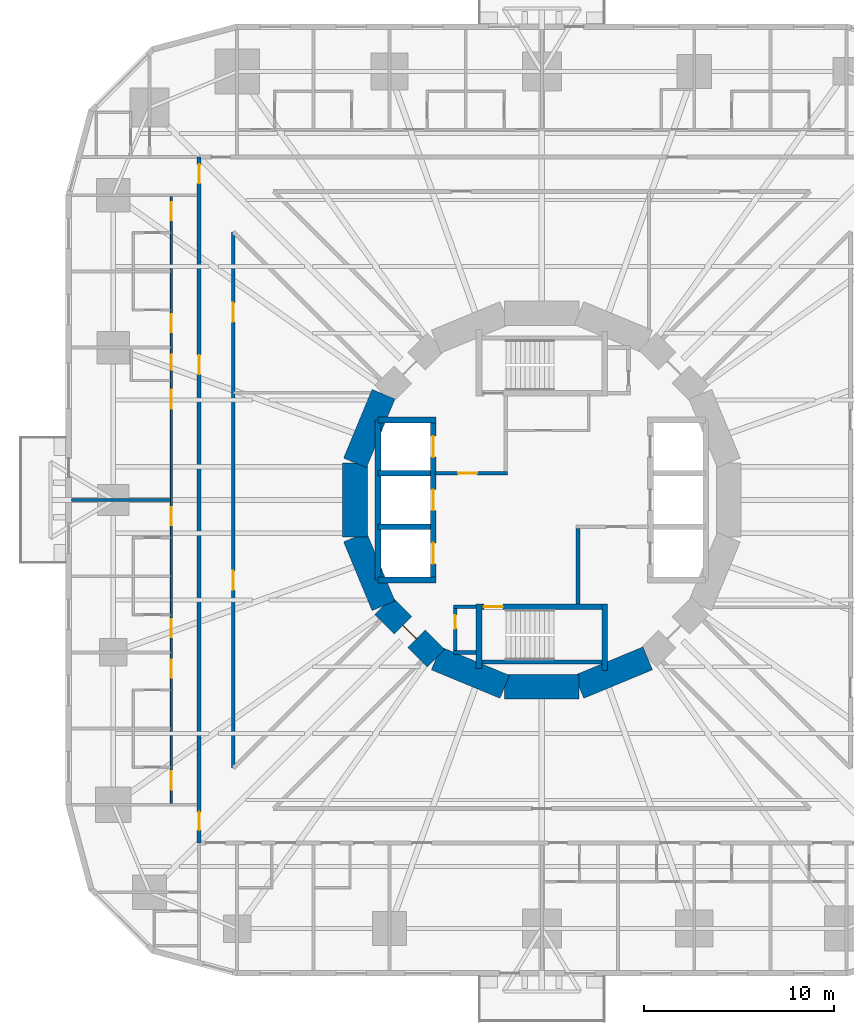
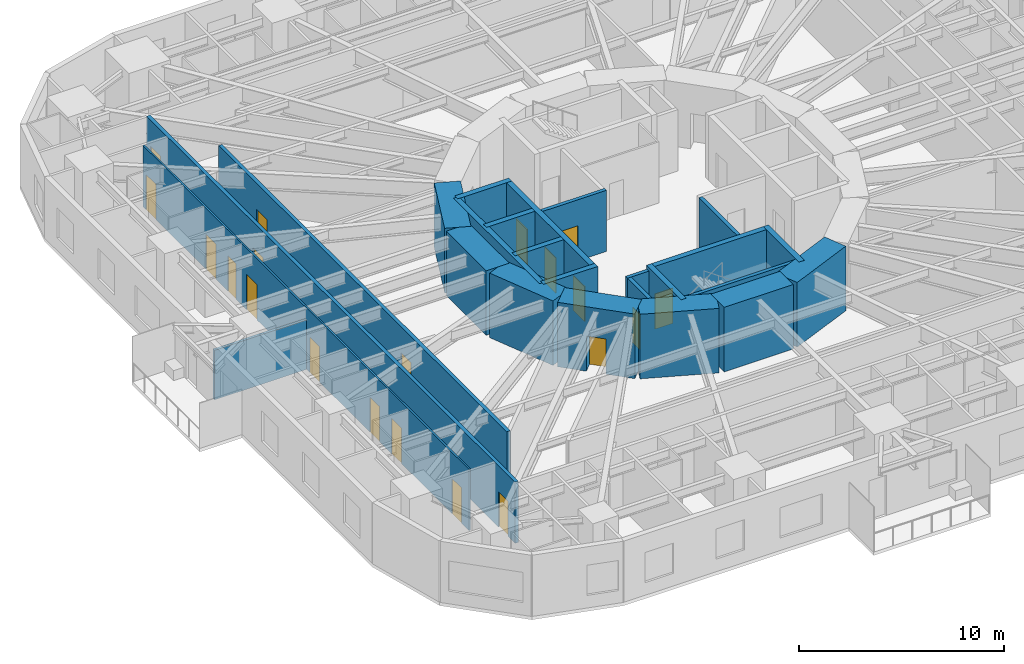
# One storey, part 6 of 14: 26 walls, 20 doors, 20 openings.
"""IFC4 building model written with IfcOpenShell, lengths in metres."""

from ifc_helpers import new_model, si_unit, direction, frame, frame_2d, origin, place, context, subcontext, project, spatial, rectangle, extrude, material, layer, layer_set, type_object, element, fill, save


model = new_model("IFC4")

# Units and contexts
model_context = context("Model", 3, precision=1e-05, world=origin(), true_north=direction((0.0, 1.0)))
body_context = subcontext(model_context, "Body", "Model", "MODEL_VIEW")
ifc_project = project(units=[si_unit("LENGTHUNIT", "METRE"), si_unit("AREAUNIT", "SQUARE_METRE"), si_unit("VOLUMEUNIT", "CUBIC_METRE"), si_unit("PLANEANGLEUNIT", "RADIAN"), si_unit("MASSUNIT", "GRAM", prefix="KILO")], contexts=[model_context])

# Site, building, storey
site_placement = place(None, origin())
site = spatial("IfcSite", under=ifc_project, at=site_placement, CompositionType="ELEMENT")
building_placement = place(site_placement, origin())
building = spatial("IfcBuilding", under=site, at=building_placement, Name="Nakasero Lantern House", CompositionType="ELEMENT")
storey_placement = place(building_placement, frame((0.0, 0.0, 35.25)))
storey = spatial("IfcBuildingStorey", under=building, at=storey_placement, Name="L08", CompositionType="ELEMENT", Elevation=35.25)

# Wall, openings, doors
ifc_material_1 = material(Name="Blockwork", Category="masonry")
ifc_layer_1 = layer(ifc_material_1, 0.10009765625)
ifc_layer_set_1 = layer_set([ifc_layer_1], Name="Cluster hall wall 100")
wall_type_1 = type_object("IfcWallType", Name="Cluster hall wall 100", PredefinedType="PARTITIONING", material=ifc_layer_set_1)
wall_1_placement = place(storey_placement, frame((-19.449951171875, 15.925048828125, 0.0), z_axis=(0.0, 0.0, 1.0), x_axis=(0.0, -1.0, 0.0)))
wall_1 = element("IfcWall", 1, at=wall_1_placement, inside=storey, type_object=wall_type_1, Name="Cluster hall wall L08 HW2-0", PredefinedType="PARTITIONING", context=body_context, shape_type="SweptSolid", body=[
    extrude(rectangle(XDim=31.85009765625, YDim=0.10009765625, at=frame_2d((15.925048828125, 0.0))), origin(), (0.0, 0.0, 1.0), 3.64990234375),
])
opening_1_placement = place(wall_1_placement, frame((10.125, 0.0, 0.0)))
opening_1 = element("IfcOpeningElement", 2, at=opening_1_placement, cuts=wall_1, Name="Opening D03", PredefinedType="OPENING", context=body_context, shape_type="SweptSolid", body=[
    extrude(rectangle(XDim=1.0, YDim=2.10009765625, at=frame_2d((0.5, 1.050048828125))), frame((0.0, 0.070068359375, 0.0), z_axis=(0.0, -1.0, 0.0), x_axis=(1.0, 0.0, 0.0)), (0.0, 0.0, 1.0), 0.14013671875),
])
opening_2_placement = place(wall_1_placement, frame((8.300048828125, 0.0, 0.0)))
opening_2 = element("IfcOpeningElement", 3, at=opening_2_placement, cuts=wall_1, Name="Opening D02", PredefinedType="OPENING", context=body_context, shape_type="SweptSolid", body=[
    extrude(rectangle(XDim=0.800048828125, YDim=2.10009765625, at=frame_2d((0.39990234375, 1.050048828125))), frame((0.0, 0.070068359375, 0.0), z_axis=(0.0, -1.0, 0.0), x_axis=(1.0, 0.0, 0.0)), (0.0, 0.0, 1.0), 0.14013671875),
])
opening_3_placement = place(wall_1_placement, frame((0.300048828125, 0.0, 0.0)))
opening_3 = element("IfcOpeningElement", 4, at=opening_3_placement, cuts=wall_1, Name="Opening D01", PredefinedType="OPENING", context=body_context, shape_type="SweptSolid", body=[
    extrude(rectangle(XDim=0.949951171875, YDim=2.10009765625, at=frame_2d((0.47509765625, 1.050048828125))), frame((0.0, 0.070068359375, 0.0), z_axis=(0.0, -1.0, 0.0), x_axis=(1.0, 0.0, 0.0)), (0.0, 0.0, 1.0), 0.14013671875),
])
opening_4_placement = place(wall_1_placement, frame((6.175048828125, 0.0, 0.0)))
opening_4 = element("IfcOpeningElement", 5, at=opening_4_placement, cuts=wall_1, Name="Opening D01", PredefinedType="OPENING", context=body_context, shape_type="SweptSolid", body=[
    extrude(rectangle(XDim=0.949951171875, YDim=2.10009765625, at=frame_2d((0.47509765625, 1.050048828125))), frame((0.0, 0.070068359375, 0.0), z_axis=(0.0, -1.0, 0.0), x_axis=(1.0, 0.0, 0.0)), (0.0, 0.0, 1.0), 0.14013671875),
])
opening_5_placement = place(wall_1_placement, frame((16.300048828125, 0.0, 0.0)))
opening_5 = element("IfcOpeningElement", 6, at=opening_5_placement, cuts=wall_1, Name="Opening D01", PredefinedType="OPENING", context=body_context, shape_type="SweptSolid", body=[
    extrude(rectangle(XDim=0.949951171875, YDim=2.10009765625, at=frame_2d((0.47509765625, 1.050048828125))), frame((0.0, 0.070068359375, 0.0), z_axis=(0.0, -1.0, 0.0), x_axis=(1.0, 0.0, 0.0)), (0.0, 0.0, 1.0), 0.14013671875),
])
opening_6_placement = place(wall_1_placement, frame((22.175048828125, 0.0, 0.0)))
opening_6 = element("IfcOpeningElement", 7, at=opening_6_placement, cuts=wall_1, Name="Opening D01", PredefinedType="OPENING", context=body_context, shape_type="SweptSolid", body=[
    extrude(rectangle(XDim=0.949951171875, YDim=2.10009765625, at=frame_2d((0.47509765625, 1.050048828125))), frame((0.0, 0.070068359375, 0.0), z_axis=(0.0, -1.0, 0.0), x_axis=(1.0, 0.0, 0.0)), (0.0, 0.0, 1.0), 0.14013671875),
])
opening_7_placement = place(wall_1_placement, frame((24.300048828125, 0.0, 0.0)))
opening_7 = element("IfcOpeningElement", 8, at=opening_7_placement, cuts=wall_1, Name="Opening D01", PredefinedType="OPENING", context=body_context, shape_type="SweptSolid", body=[
    extrude(rectangle(XDim=0.949951171875, YDim=2.10009765625, at=frame_2d((0.47509765625, 1.050048828125))), frame((0.0, 0.070068359375, 0.0), z_axis=(0.0, -1.0, 0.0), x_axis=(1.0, 0.0, 0.0)), (0.0, 0.0, 1.0), 0.14013671875),
])
opening_8_placement = place(wall_1_placement, frame((30.175048828125, 0.0, 0.0)))
opening_8 = element("IfcOpeningElement", 9, at=opening_8_placement, cuts=wall_1, Name="Opening D01", PredefinedType="OPENING", context=body_context, shape_type="SweptSolid", body=[
    extrude(rectangle(XDim=0.949951171875, YDim=2.10009765625, at=frame_2d((0.47509765625, 1.050048828125))), frame((0.0, 0.070068359375, 0.0), z_axis=(0.0, -1.0, 0.0), x_axis=(1.0, 0.0, 0.0)), (0.0, 0.0, 1.0), 0.14013671875),
])
ifc_material_2 = material(Name="Timber C24", Category="wood")
door_type_1 = type_object("IfcDoorType", Name="Bedroom door FD30S 950", OperationType="SINGLE_SWING_LEFT", PredefinedType="DOOR", material=ifc_material_2)
door_1_placement = place(opening_3_placement, origin())
door_1 = element("IfcDoor", 10, at=door_1_placement, inside=storey, type_object=door_type_1, Name="Door L08 D2-01", OperationType="SINGLE_SWING_LEFT", OverallHeight=2.10009765625, OverallWidth=0.949951171875, PredefinedType="DOOR", context=body_context, shape_type="SweptSolid", body=[
    extrude(rectangle(XDim=0.949951171875, YDim=2.10009765625, at=frame_2d((0.47509765625, 1.050048828125))), frame((0.0, 0.02490234375, 0.0), z_axis=(0.0, -1.0, 0.0), x_axis=(1.0, 0.0, 0.0)), (0.0, 0.0, 1.0), 0.050048828125),
])
fill(opening_3, door_1)
door_2_placement = place(opening_4_placement, origin())
door_2 = element("IfcDoor", 11, at=door_2_placement, inside=storey, type_object=door_type_1, Name="Door L08 D2-02", OperationType="SINGLE_SWING_LEFT", OverallHeight=2.10009765625, OverallWidth=0.949951171875, PredefinedType="DOOR", context=body_context, shape_type="SweptSolid", body=[
    extrude(rectangle(XDim=0.949951171875, YDim=2.10009765625, at=frame_2d((0.47509765625, 1.050048828125))), frame((0.0, 0.02490234375, 0.0), z_axis=(0.0, -1.0, 0.0), x_axis=(1.0, 0.0, 0.0)), (0.0, 0.0, 1.0), 0.050048828125),
])
fill(opening_4, door_2)
door_3_placement = place(opening_5_placement, origin())
door_3 = element("IfcDoor", 12, at=door_3_placement, inside=storey, type_object=door_type_1, Name="Door L08 D2-05", OperationType="SINGLE_SWING_RIGHT", OverallHeight=2.10009765625, OverallWidth=0.949951171875, PredefinedType="DOOR", context=body_context, shape_type="SweptSolid", body=[
    extrude(rectangle(XDim=0.949951171875, YDim=2.10009765625, at=frame_2d((0.47509765625, 1.050048828125))), frame((0.0, 0.02490234375, 0.0), z_axis=(0.0, -1.0, 0.0), x_axis=(1.0, 0.0, 0.0)), (0.0, 0.0, 1.0), 0.050048828125),
])
fill(opening_5, door_3)
door_4_placement = place(opening_6_placement, origin())
door_4 = element("IfcDoor", 13, at=door_4_placement, inside=storey, type_object=door_type_1, Name="Door L08 D2-06", OperationType="SINGLE_SWING_RIGHT", OverallHeight=2.10009765625, OverallWidth=0.949951171875, PredefinedType="DOOR", context=body_context, shape_type="SweptSolid", body=[
    extrude(rectangle(XDim=0.949951171875, YDim=2.10009765625, at=frame_2d((0.47509765625, 1.050048828125))), frame((0.0, 0.02490234375, 0.0), z_axis=(0.0, -1.0, 0.0), x_axis=(1.0, 0.0, 0.0)), (0.0, 0.0, 1.0), 0.050048828125),
])
fill(opening_6, door_4)
door_5_placement = place(opening_7_placement, origin())
door_5 = element("IfcDoor", 14, at=door_5_placement, inside=storey, type_object=door_type_1, Name="Door L08 D2-07", OperationType="SINGLE_SWING_RIGHT", OverallHeight=2.10009765625, OverallWidth=0.949951171875, PredefinedType="DOOR", context=body_context, shape_type="SweptSolid", body=[
    extrude(rectangle(XDim=0.949951171875, YDim=2.10009765625, at=frame_2d((0.47509765625, 1.050048828125))), frame((0.0, 0.02490234375, 0.0), z_axis=(0.0, -1.0, 0.0), x_axis=(1.0, 0.0, 0.0)), (0.0, 0.0, 1.0), 0.050048828125),
])
fill(opening_7, door_5)
door_6_placement = place(opening_8_placement, origin())
door_6 = element("IfcDoor", 15, at=door_6_placement, inside=storey, type_object=door_type_1, Name="Door L08 D2-08", OperationType="SINGLE_SWING_RIGHT", OverallHeight=2.10009765625, OverallWidth=0.949951171875, PredefinedType="DOOR", context=body_context, shape_type="SweptSolid", body=[
    extrude(rectangle(XDim=0.949951171875, YDim=2.10009765625, at=frame_2d((0.47509765625, 1.050048828125))), frame((0.0, 0.02490234375, 0.0), z_axis=(0.0, -1.0, 0.0), x_axis=(1.0, 0.0, 0.0)), (0.0, 0.0, 1.0), 0.050048828125),
])
fill(opening_8, door_6)
ifc_material_3 = material(Name="Timber C24", Category="wood")
door_type_2 = type_object("IfcDoorType", Name="En-suite door 800", OperationType="SINGLE_SWING_RIGHT", PredefinedType="DOOR", material=ifc_material_3)
door_7_placement = place(opening_2_placement, origin())
door_7 = element("IfcDoor", 16, at=door_7_placement, inside=storey, type_object=door_type_2, Name="Door L08 DSH2-0", OperationType="SINGLE_SWING_LEFT", OverallHeight=2.10009765625, OverallWidth=0.800048828125, PredefinedType="DOOR", context=body_context, shape_type="SweptSolid", body=[
    extrude(rectangle(XDim=0.800048828125, YDim=2.10009765625, at=frame_2d((0.39990234375, 1.050048828125))), frame((0.0, 0.02490234375, 0.0), z_axis=(0.0, -1.0, 0.0), x_axis=(1.0, 0.0, 0.0)), (0.0, 0.0, 1.0), 0.050048828125),
])
fill(opening_2, door_7)
ifc_material_4 = material(Name="Timber C24", Category="wood")
door_type_3 = type_object("IfcDoorType", Name="Lounge door FD30S 1000", OperationType="SINGLE_SWING_LEFT", PredefinedType="DOOR", material=ifc_material_4)
door_8_placement = place(opening_1_placement, origin())
door_8 = element("IfcDoor", 17, at=door_8_placement, inside=storey, type_object=door_type_3, Name="Door L08 DH2-0", OperationType="SINGLE_SWING_LEFT", OverallHeight=2.10009765625, OverallWidth=1.0, PredefinedType="DOOR", context=body_context, shape_type="SweptSolid", body=[
    extrude(rectangle(XDim=1.0, YDim=2.10009765625, at=frame_2d((0.5, 1.050048828125))), frame((0.0, 0.02490234375, 0.0), z_axis=(0.0, -1.0, 0.0), x_axis=(1.0, 0.0, 0.0)), (0.0, 0.0, 1.0), 0.050048828125),
])
fill(opening_1, door_8)

ifc_material_5 = material(Name="Concrete C50/60", Category="concrete")
ifc_layer_2 = layer(ifc_material_5, 0.300048828125)
ifc_layer_set_2 = layer_set([ifc_layer_2], Name="Core inner wall 300")
wall_type_2 = type_object("IfcWallType", Name="Core inner wall 300", PredefinedType="SHEAR", material=ifc_layer_set_2)
wall_2_placement = place(storey_placement, frame((-5.699951171875, -4.199951171875, 0.0), z_axis=(0.0, 0.0, 1.0), x_axis=(0.0, 1.0, 0.0)))
wall_2 = element("IfcWall", 18, at=wall_2_placement, inside=storey, type_object=wall_type_2, Name="Core inner wall L08 LW", PredefinedType="SHEAR", context=body_context, shape_type="SweptSolid", body=[
    extrude(rectangle(XDim=8.39990234375, YDim=0.300048828125, at=frame_2d((4.199951171875, 0.0))), origin(), (0.0, 0.0, 1.0), 3.85009765625),
])
opening_9_placement = place(wall_2_placement, frame((0.85009765625, 0.0, 0.0)))
opening_9 = element("IfcOpeningElement", 19, at=opening_9_placement, cuts=wall_2, Name="Opening LD", PredefinedType="OPENING", context=body_context, shape_type="SweptSolid", body=[
    extrude(rectangle(XDim=1.10009765625, YDim=2.10009765625, at=frame_2d((0.550048828125, 1.050048828125))), frame((0.0, 0.169921875, 0.0), z_axis=(0.0, -1.0, 0.0), x_axis=(1.0, 0.0, 0.0)), (0.0, 0.0, 1.0), 0.340087890625),
])
opening_10_placement = place(wall_2_placement, frame((3.64990234375, 0.0, 0.0)))
opening_10 = element("IfcOpeningElement", 20, at=opening_10_placement, cuts=wall_2, Name="Opening LD", PredefinedType="OPENING", context=body_context, shape_type="SweptSolid", body=[
    extrude(rectangle(XDim=1.10009765625, YDim=2.10009765625, at=frame_2d((0.550048828125, 1.050048828125))), frame((0.0, 0.169921875, 0.0), z_axis=(0.0, -1.0, 0.0), x_axis=(1.0, 0.0, 0.0)), (0.0, 0.0, 1.0), 0.340087890625),
])
opening_11_placement = place(wall_2_placement, frame((6.449951171875, 0.0, 0.0)))
opening_11 = element("IfcOpeningElement", 21, at=opening_11_placement, cuts=wall_2, Name="Opening LD", PredefinedType="OPENING", context=body_context, shape_type="SweptSolid", body=[
    extrude(rectangle(XDim=1.10009765625, YDim=2.10009765625, at=frame_2d((0.550048828125, 1.050048828125))), frame((0.0, 0.169921875, 0.0), z_axis=(0.0, -1.0, 0.0), x_axis=(1.0, 0.0, 0.0)), (0.0, 0.0, 1.0), 0.340087890625),
])
ifc_material_6 = material(Name="Steel S355", Category="steel")
door_type_4 = type_object("IfcDoorType", Name="Lift landing door E120 1100", OperationType="SLIDING_TO_LEFT", PredefinedType="DOOR", material=ifc_material_6)
door_9_placement = place(opening_9_placement, origin())
door_9 = element("IfcDoor", 22, at=door_9_placement, inside=storey, type_object=door_type_4, Name="Lift landing door LW1", OperationType="SLIDING_TO_LEFT", OverallHeight=2.10009765625, OverallWidth=1.10009765625, PredefinedType="DOOR", context=body_context, shape_type="SweptSolid", body=[
    extrude(rectangle(XDim=1.10009765625, YDim=2.10009765625, at=frame_2d((0.550048828125, 1.050048828125))), frame((0.0, 0.02490234375, 0.0), z_axis=(0.0, -1.0, 0.0), x_axis=(1.0, 0.0, 0.0)), (0.0, 0.0, 1.0), 0.050048828125),
])
fill(opening_9, door_9)
door_10_placement = place(opening_10_placement, origin())
door_10 = element("IfcDoor", 23, at=door_10_placement, inside=storey, type_object=door_type_4, Name="Lift landing door LW2", OperationType="SLIDING_TO_LEFT", OverallHeight=2.10009765625, OverallWidth=1.10009765625, PredefinedType="DOOR", context=body_context, shape_type="SweptSolid", body=[
    extrude(rectangle(XDim=1.10009765625, YDim=2.10009765625, at=frame_2d((0.550048828125, 1.050048828125))), frame((0.0, 0.02490234375, 0.0), z_axis=(0.0, -1.0, 0.0), x_axis=(1.0, 0.0, 0.0)), (0.0, 0.0, 1.0), 0.050048828125),
])
fill(opening_10, door_10)
door_11_placement = place(opening_11_placement, origin())
door_11 = element("IfcDoor", 24, at=door_11_placement, inside=storey, type_object=door_type_4, Name="Lift landing door LW3", OperationType="SLIDING_TO_LEFT", OverallHeight=2.10009765625, OverallWidth=1.10009765625, PredefinedType="DOOR", context=body_context, shape_type="SweptSolid", body=[
    extrude(rectangle(XDim=1.10009765625, YDim=2.10009765625, at=frame_2d((0.550048828125, 1.050048828125))), frame((0.0, 0.02490234375, 0.0), z_axis=(0.0, -1.0, 0.0), x_axis=(1.0, 0.0, 0.0)), (0.0, 0.0, 1.0), 0.050048828125),
])
fill(opening_11, door_11)

# Walls
for number, where, z_axis, x_axis, name in (
    (25, (-8.60009765625, 4.199951171875, 0.0), (0.0, 0.0, 1.0), (1.0, 0.0, 0.0), "Core inner wall L08 LWN"),
    (26, (-8.60009765625, -4.199951171875, 0.0), (0.0, 0.0, 1.0), (1.0, 0.0, 0.0), "Core inner wall L08 LWS"),
):
    element("IfcWall", number, at=place(storey_placement, frame(where, z_axis=z_axis, x_axis=x_axis)), inside=storey, type_object=wall_type_2, Name=name, PredefinedType="SHEAR", context=body_context, shape_type="SweptSolid", body=[
        extrude(rectangle(XDim=3.050048828125, YDim=0.300048828125, at=frame_2d((1.52490234375, 0.0))), origin(), (0.0, 0.0, 1.0), 3.85009765625),
    ])
wall_3_placement = place(storey_placement, frame((-8.60009765625, -4.199951171875, 0.0), z_axis=(0.0, 0.0, 1.0), x_axis=(0.0, 1.0, 0.0)))
element("IfcWall", 27, at=wall_3_placement, inside=storey, type_object=wall_type_2, Name="Core inner wall L08 LWB", PredefinedType="SHEAR", context=body_context, shape_type="SweptSolid", body=[
    extrude(rectangle(XDim=8.39990234375, YDim=0.300048828125, at=frame_2d((4.199951171875, 0.0))), origin(), (0.0, 0.0, 1.0), 3.85009765625),
])
for number, where, z_axis, x_axis, name in (
    (28, (-8.60009765625, -1.39990234375, 0.0), (0.0, 0.0, 1.0), (1.0, 0.0, 0.0), "Core inner wall L08 LW1"),
    (29, (-8.60009765625, 1.39990234375, 0.0), (0.0, 0.0, 1.0), (1.0, 0.0, 0.0), "Core inner wall L08 LW2"),
):
    element("IfcWall", number, at=place(storey_placement, frame(where, z_axis=z_axis, x_axis=x_axis)), inside=storey, type_object=wall_type_2, Name=name, PredefinedType="SHEAR", context=body_context, shape_type="SweptSolid", body=[
        extrude(rectangle(XDim=2.75, YDim=0.300048828125, at=frame_2d((1.375, 0.0))), origin(), (0.0, 0.0, 1.0), 3.85009765625),
    ])

# Wall, opening, door
wall_4_placement = place(storey_placement, frame((-3.449951171875, -5.60009765625, 0.0), z_axis=(0.0, 0.0, 1.0), x_axis=(1.0, 0.0, 0.0)))
wall_4 = element("IfcWall", 30, at=wall_4_placement, inside=storey, type_object=wall_type_2, Name="Core inner wall L08 SS", PredefinedType="SHEAR", context=body_context, shape_type="SweptSolid", body=[
    extrude(rectangle(XDim=6.89990234375, YDim=0.300048828125, at=frame_2d((3.449951171875, 0.0))), origin(), (0.0, 0.0, 1.0), 3.85009765625),
])
opening_12_placement = place(wall_4_placement, frame((0.39990234375, 0.0, 0.0)))
opening_12 = element("IfcOpeningElement", 31, at=opening_12_placement, cuts=wall_4, Name="Opening D05", PredefinedType="OPENING", context=body_context, shape_type="SweptSolid", body=[
    extrude(rectangle(XDim=1.0, YDim=2.10009765625, at=frame_2d((0.5, 1.050048828125))), frame((0.0, 0.169921875, 0.0), z_axis=(0.0, -1.0, 0.0), x_axis=(1.0, 0.0, 0.0)), (0.0, 0.0, 1.0), 0.340087890625),
])
ifc_material_7 = material(Name="Timber C24", Category="wood")
door_type_5 = type_object("IfcDoorType", Name="Core door FD60S 1000", OperationType="SINGLE_SWING_LEFT", PredefinedType="DOOR", material=ifc_material_7)
door_12_placement = place(opening_12_placement, origin())
door_12 = element("IfcDoor", 32, at=door_12_placement, inside=storey, type_object=door_type_5, Name="Door L08 D-ST2", OperationType="SINGLE_SWING_LEFT", OverallHeight=2.10009765625, OverallWidth=1.0, PredefinedType="DOOR", context=body_context, shape_type="SweptSolid", body=[
    extrude(rectangle(XDim=1.0, YDim=2.10009765625, at=frame_2d((0.5, 1.050048828125))), frame((0.0, 0.02490234375, 0.0), z_axis=(0.0, -1.0, 0.0), x_axis=(1.0, 0.0, 0.0)), (0.0, 0.0, 1.0), 0.050048828125),
])
fill(opening_12, door_12)

# Walls
wall_5_placement = place(storey_placement, frame((-3.300048828125, -5.449951171875, 0.0), z_axis=(0.0, 0.0, 1.0), x_axis=(0.0, -1.0, 0.0)))
element("IfcWall", 33, at=wall_5_placement, inside=storey, type_object=wall_type_2, Name="Core inner wall L08 SSW", PredefinedType="SHEAR", context=body_context, shape_type="SweptSolid", body=[
    extrude(rectangle(XDim=3.400146484375, YDim=0.300048828125, at=frame_2d((1.7001953125, 0.0))), origin(), (0.0, 0.0, 1.0), 3.85009765625),
])
wall_6_placement = place(storey_placement, frame((3.300048828125, -5.449951171875, 0.0), z_axis=(0.0, 0.0, 1.0), x_axis=(0.0, -1.0, 0.0)))
element("IfcWall", 34, at=wall_6_placement, inside=storey, type_object=wall_type_2, Name="Core inner wall L08 SSE", PredefinedType="SHEAR", context=body_context, shape_type="SweptSolid", body=[
    extrude(rectangle(XDim=3.5, YDim=0.300048828125, at=frame_2d((1.75, 0.0))), origin(), (0.0, 0.0, 1.0), 3.85009765625),
])
ifc_material_8 = material(Name="Concrete C50/60", Category="concrete")
ifc_layer_3 = layer(ifc_material_8, 1.300048828125)
ifc_layer_set_3 = layer_set([ifc_layer_3], Name="Core wall 1300")
wall_type_3 = type_object("IfcWallType", Name="Core wall 1300", PredefinedType="SHEAR", material=ifc_layer_set_3)
for number, where, z_axis, x_axis, name in (
    (35, (-8.314697265625, 5.5556640625, 0.0), (0.0, 0.0, 1.0), (-0.382690736062, -0.923876507187, 0.0), "Core wall L08 facet 7"),
    (36, (-9.807861328125, 1.950927734375, 0.0), (0.0, 0.0, 1.0), (0.0, -1.0, 0.0), "Core wall L08 facet 8"),
    (37, (-9.807861328125, -1.950927734375, 0.0), (0.0, 0.0, 1.0), (0.382690736062, -0.923876507187, 0.0), "Core wall L08 facet 9"),
):
    element("IfcWall", number, at=place(storey_placement, frame(where, z_axis=z_axis, x_axis=x_axis)), inside=storey, type_object=wall_type_3, Name=name, PredefinedType="SHEAR", context=body_context, shape_type="SweptSolid", body=[
        extrude(rectangle(XDim=3.90185546875, YDim=1.300048828125, at=frame_2d((1.950927734375, 0.0))), origin(), (0.0, 0.0, 1.0), 3.85009765625),
    ])

# Wall, opening, door
wall_7_placement = place(storey_placement, frame((-8.314697265625, -5.5556640625, 0.0), z_axis=(0.0, 0.0, 1.0), x_axis=(0.707106781187, -0.707106781187, 0.0)))
wall_7 = element("IfcWall", 38, at=wall_7_placement, inside=storey, type_object=wall_type_3, Name="Core wall L08 facet 10", PredefinedType="SHEAR", context=body_context, shape_type="SweptSolid", body=[
    extrude(rectangle(XDim=3.90185546875, YDim=1.300048828125, at=frame_2d((1.950927734375, 0.0))), origin(), (0.0, 0.0, 1.0), 3.85009765625),
])
opening_13_placement = place(wall_7_placement, frame((1.450927734375, 0.0, 0.0)))
opening_13 = element("IfcOpeningElement", 39, at=opening_13_placement, cuts=wall_7, Name="Opening D05", PredefinedType="OPENING", context=body_context, shape_type="SweptSolid", body=[
    extrude(rectangle(XDim=1.0, YDim=2.10009765625, at=frame_2d((0.5, 1.050048828125))), frame((0.0, 0.669921875, 0.0), z_axis=(0.0, -1.0, 0.0), x_axis=(1.0, 0.0, 0.0)), (0.0, 0.0, 1.0), 1.340087890625),
])
door_13_placement = place(opening_13_placement, origin())
door_13 = element("IfcDoor", 40, at=door_13_placement, inside=storey, type_object=door_type_5, Name="Door L08 D-CORE10", OperationType="SINGLE_SWING_LEFT", OverallHeight=2.10009765625, OverallWidth=1.0, PredefinedType="DOOR", context=body_context, shape_type="SweptSolid", body=[
    extrude(rectangle(XDim=1.0, YDim=2.10009765625, at=frame_2d((0.5, 1.050048828125))), frame((0.0, 0.02490234375, 0.0), z_axis=(0.0, -1.0, 0.0), x_axis=(1.0, 0.0, 0.0)), (0.0, 0.0, 1.0), 0.050048828125),
])
fill(opening_13, door_13)

# Walls
for number, where, z_axis, x_axis, name in (
    (41, (-5.5556640625, -8.314697265625, 0.0), (0.0, 0.0, 1.0), (0.923876507187, -0.382690736062, 0.0), "Core wall L08 facet 11"),
    (42, (-1.950927734375, -9.807861328125, 0.0), (0.0, 0.0, 1.0), (1.0, 0.0, 0.0), "Core wall L08 facet 12"),
    (43, (1.950927734375, -9.807861328125, 0.0), (0.0, 0.0, 1.0), (0.923876507187, 0.382690736062, 0.0), "Core wall L08 facet 13"),
):
    element("IfcWall", number, at=place(storey_placement, frame(where, z_axis=z_axis, x_axis=x_axis)), inside=storey, type_object=wall_type_3, Name=name, PredefinedType="SHEAR", context=body_context, shape_type="SweptSolid", body=[
        extrude(rectangle(XDim=3.90185546875, YDim=1.300048828125, at=frame_2d((1.950927734375, 0.0))), origin(), (0.0, 0.0, 1.0), 3.85009765625),
    ])

# Wall, openings, doors
ifc_material_9 = material(Name="Blockwork", Category="masonry")
ifc_layer_4 = layer(ifc_material_9, 0.199951171875)
ifc_layer_set_4 = layer_set([ifc_layer_4], Name="Corridor wall 200")
wall_type_4 = type_object("IfcWallType", Name="Corridor wall 200", PredefinedType="PARTITIONING", material=ifc_layer_set_4)
wall_8_placement = place(storey_placement, frame((-18.0, 18.0, 0.0), z_axis=(0.0, 0.0, 1.0), x_axis=(0.0, -1.0, 0.0)))
wall_8 = element("IfcWall", 44, at=wall_8_placement, inside=storey, type_object=wall_type_4, Name="Corridor wall L08 CW2", PredefinedType="PARTITIONING", context=body_context, shape_type="SweptSolid", body=[
    extrude(rectangle(XDim=36.0, YDim=0.199951171875, at=frame_2d((18.0, 0.0))), origin(), (0.0, 0.0, 1.0), 3.64990234375),
])
opening_14_placement = place(wall_8_placement, frame((10.39990234375, 0.0, 0.0)))
opening_14 = element("IfcOpeningElement", 45, at=opening_14_placement, cuts=wall_8, Name="Opening D14", PredefinedType="OPENING", context=body_context, shape_type="SweptSolid", body=[
    extrude(rectangle(XDim=1.0, YDim=2.10009765625, at=frame_2d((0.5, 1.050048828125))), frame((0.0, 0.119873046875, 0.0), z_axis=(0.0, -1.0, 0.0), x_axis=(1.0, 0.0, 0.0)), (0.0, 0.0, 1.0), 0.239990234375),
])
opening_15_placement = place(wall_8_placement, frame((0.375, 0.0, 0.0)))
opening_15 = element("IfcOpeningElement", 46, at=opening_15_placement, cuts=wall_8, Name="Opening D07", PredefinedType="OPENING", context=body_context, shape_type="SweptSolid", body=[
    extrude(rectangle(XDim=1.0, YDim=2.10009765625, at=frame_2d((0.5, 1.050048828125))), frame((0.0, 0.119873046875, 0.0), z_axis=(0.0, -1.0, 0.0), x_axis=(1.0, 0.0, 0.0)), (0.0, 0.0, 1.0), 0.239990234375),
])
opening_16_placement = place(wall_8_placement, frame((34.375, 0.0, 0.0)))
opening_16 = element("IfcOpeningElement", 47, at=opening_16_placement, cuts=wall_8, Name="Opening D01", PredefinedType="OPENING", context=body_context, shape_type="SweptSolid", body=[
    extrude(rectangle(XDim=0.949951171875, YDim=2.10009765625, at=frame_2d((0.47509765625, 1.050048828125))), frame((0.0, 0.119873046875, 0.0), z_axis=(0.0, -1.0, 0.0), x_axis=(1.0, 0.0, 0.0)), (0.0, 0.0, 1.0), 0.239990234375),
])
door_14_placement = place(opening_16_placement, origin())
door_14 = element("IfcDoor", 48, at=door_14_placement, inside=storey, type_object=door_type_1, Name="Door L08 D2-09", OperationType="SINGLE_SWING_RIGHT", OverallHeight=2.10009765625, OverallWidth=0.949951171875, PredefinedType="DOOR", context=body_context, shape_type="SweptSolid", body=[
    extrude(rectangle(XDim=0.949951171875, YDim=2.10009765625, at=frame_2d((0.47509765625, 1.050048828125))), frame((0.0, 0.02490234375, 0.0), z_axis=(0.0, -1.0, 0.0), x_axis=(1.0, 0.0, 0.0)), (0.0, 0.0, 1.0), 0.050048828125),
])
fill(opening_16, door_14)
ifc_material_10 = material(Name="Timber C24", Category="wood")
door_type_6 = type_object("IfcDoorType", Name="Cluster entrance door FD30S 1000", OperationType="SINGLE_SWING_LEFT", PredefinedType="DOOR", material=ifc_material_10)
door_15_placement = place(opening_14_placement, origin())
door_15 = element("IfcDoor", 49, at=door_15_placement, inside=storey, type_object=door_type_6, Name="Door L08 DF2-0", OperationType="SINGLE_SWING_LEFT", OverallHeight=2.10009765625, OverallWidth=1.0, PredefinedType="DOOR", context=body_context, shape_type="SweptSolid", body=[
    extrude(rectangle(XDim=1.0, YDim=2.10009765625, at=frame_2d((0.5, 1.050048828125))), frame((0.0, 0.02490234375, 0.0), z_axis=(0.0, -1.0, 0.0), x_axis=(1.0, 0.0, 0.0)), (0.0, 0.0, 1.0), 0.050048828125),
])
fill(opening_14, door_15)
ifc_material_11 = material(Name="Timber C24", Category="wood")
door_type_7 = type_object("IfcDoorType", Name="Room door FD30S 1000", OperationType="SINGLE_SWING_LEFT", PredefinedType="DOOR", material=ifc_material_11)
door_16_placement = place(opening_15_placement, origin())
door_16 = element("IfcDoor", 50, at=door_16_placement, inside=storey, type_object=door_type_7, Name="Door L08 D2-00", OperationType="SINGLE_SWING_LEFT", OverallHeight=2.10009765625, OverallWidth=1.0, PredefinedType="DOOR", context=body_context, shape_type="SweptSolid", body=[
    extrude(rectangle(XDim=1.0, YDim=2.10009765625, at=frame_2d((0.5, 1.050048828125))), frame((0.0, 0.02490234375, 0.0), z_axis=(0.0, -1.0, 0.0), x_axis=(1.0, 0.0, 0.0)), (0.0, 0.0, 1.0), 0.050048828125),
])
fill(opening_15, door_16)

wall_9_placement = place(storey_placement, frame((-16.199951171875, 14.07861328125, 0.0), z_axis=(0.0, 0.0, 1.0), x_axis=(0.0, -1.0, 0.0)))
wall_9 = element("IfcWall", 51, at=wall_9_placement, inside=storey, type_object=wall_type_4, Name="Corridor wall L08 IW2-0", PredefinedType="PARTITIONING", context=body_context, shape_type="SweptSolid", body=[
    extrude(rectangle(XDim=28.1572265625, YDim=0.199951171875, at=frame_2d((14.07861328125, 0.0))), origin(), (0.0, 0.0, 1.0), 3.64990234375),
])
opening_17_placement = place(wall_9_placement, frame((3.7236328125, 0.0, 0.0)))
opening_17 = element("IfcOpeningElement", 52, at=opening_17_placement, cuts=wall_9, Name="Opening D07", PredefinedType="OPENING", context=body_context, shape_type="SweptSolid", body=[
    extrude(rectangle(XDim=1.0, YDim=2.10009765625, at=frame_2d((0.5, 1.050048828125))), frame((0.0, 0.119873046875, 0.0), z_axis=(0.0, -1.0, 0.0), x_axis=(1.0, 0.0, 0.0)), (0.0, 0.0, 1.0), 0.239990234375),
])
opening_18_placement = place(wall_9_placement, frame((17.80224609375, 0.0, 0.0)))
opening_18 = element("IfcOpeningElement", 53, at=opening_18_placement, cuts=wall_9, Name="Opening D07", PredefinedType="OPENING", context=body_context, shape_type="SweptSolid", body=[
    extrude(rectangle(XDim=1.0, YDim=2.10009765625, at=frame_2d((0.5, 1.050048828125))), frame((0.0, 0.119873046875, 0.0), z_axis=(0.0, -1.0, 0.0), x_axis=(1.0, 0.0, 0.0)), (0.0, 0.0, 1.0), 0.239990234375),
])
door_17_placement = place(opening_17_placement, origin())
door_17 = element("IfcDoor", 54, at=door_17_placement, inside=storey, type_object=door_type_7, Name="Door L08 DI4", OperationType="SINGLE_SWING_LEFT", OverallHeight=2.10009765625, OverallWidth=1.0, PredefinedType="DOOR", context=body_context, shape_type="SweptSolid", body=[
    extrude(rectangle(XDim=1.0, YDim=2.10009765625, at=frame_2d((0.5, 1.050048828125))), frame((0.0, 0.02490234375, 0.0), z_axis=(0.0, -1.0, 0.0), x_axis=(1.0, 0.0, 0.0)), (0.0, 0.0, 1.0), 0.050048828125),
])
fill(opening_17, door_17)
door_18_placement = place(opening_18_placement, origin())
door_18 = element("IfcDoor", 55, at=door_18_placement, inside=storey, type_object=door_type_7, Name="Door L08 DI4S", OperationType="SINGLE_SWING_RIGHT", OverallHeight=2.10009765625, OverallWidth=1.0, PredefinedType="DOOR", context=body_context, shape_type="SweptSolid", body=[
    extrude(rectangle(XDim=1.0, YDim=2.10009765625, at=frame_2d((0.5, 1.050048828125))), frame((0.0, 0.02490234375, 0.0), z_axis=(0.0, -1.0, 0.0), x_axis=(1.0, 0.0, 0.0)), (0.0, 0.0, 1.0), 0.050048828125),
])
fill(opening_18, door_18)

# Wall, opening, door
ifc_material_12 = material(Name="Blockwork", Category="masonry")
ifc_layer_5 = layer(ifc_material_12, 0.199951171875)
ifc_layer_set_5 = layer_set([ifc_layer_5], Name="Fire lobby wall 200")
wall_type_5 = type_object("IfcWallType", Name="Fire lobby wall 200", PredefinedType="PARTITIONING", material=ifc_layer_set_5)
wall_10_placement = place(storey_placement, frame((-5.60009765625, 1.39990234375, 0.0), z_axis=(0.0, 0.0, 1.0), x_axis=(1.0, 0.0, 0.0)))
wall_10 = element("IfcWall", 56, at=wall_10_placement, inside=storey, type_object=wall_type_5, Name="Fire lobby wall L08 W-FL1S", PredefinedType="PARTITIONING", context=body_context, shape_type="SweptSolid", body=[
    extrude(rectangle(XDim=3.800048828125, YDim=0.199951171875, at=frame_2d((1.89990234375, 0.0))), origin(), (0.0, 0.0, 1.0), 3.64990234375),
])
opening_19_placement = place(wall_10_placement, frame((1.199951171875, 0.0, 0.0)))
opening_19 = element("IfcOpeningElement", 57, at=opening_19_placement, cuts=wall_10, Name="Opening D05", PredefinedType="OPENING", context=body_context, shape_type="SweptSolid", body=[
    extrude(rectangle(XDim=1.0, YDim=2.10009765625, at=frame_2d((0.5, 1.050048828125))), frame((0.0, 0.119873046875, 0.0), z_axis=(0.0, -1.0, 0.0), x_axis=(1.0, 0.0, 0.0)), (0.0, 0.0, 1.0), 0.239990234375),
])
door_19_placement = place(opening_19_placement, origin())
door_19 = element("IfcDoor", 58, at=door_19_placement, inside=storey, type_object=door_type_5, Name="Door L08 D-FL1", OperationType="SINGLE_SWING_LEFT", OverallHeight=2.10009765625, OverallWidth=1.0, PredefinedType="DOOR", context=body_context, shape_type="SweptSolid", body=[
    extrude(rectangle(XDim=1.0, YDim=2.10009765625, at=frame_2d((0.5, 1.050048828125))), frame((0.0, 0.02490234375, 0.0), z_axis=(0.0, -1.0, 0.0), x_axis=(1.0, 0.0, 0.0)), (0.0, 0.0, 1.0), 0.050048828125),
])
fill(opening_19, door_19)

# Wall
wall_11_placement = place(storey_placement, frame((1.89990234375, -1.5, 0.0), z_axis=(0.0, 0.0, 1.0), x_axis=(0.0, -1.0, 0.0)))
element("IfcWall", 59, at=wall_11_placement, inside=storey, type_object=wall_type_5, Name="Fire lobby wall L08 W-FL2W", PredefinedType="PARTITIONING", context=body_context, shape_type="SweptSolid", body=[
    extrude(rectangle(XDim=3.949951171875, YDim=0.199951171875, at=frame_2d((1.97509765625, 0.0))), origin(), (0.0, 0.0, 1.0), 3.64990234375),
])

# Wall, opening, door
wall_12_placement = place(storey_placement, frame((-4.550048828125, -5.60009765625, 0.0), z_axis=(0.0, 0.0, 1.0), x_axis=(0.0, -1.0, 0.0)))
wall_12 = element("IfcWall", 60, at=wall_12_placement, inside=storey, type_object=wall_type_5, Name="Fire lobby wall L08 W-RS2W", PredefinedType="PARTITIONING", context=body_context, shape_type="SweptSolid", body=[
    extrude(rectangle(XDim=2.39990234375, YDim=0.199951171875, at=frame_2d((1.199951171875, 0.0))), origin(), (0.0, 0.0, 1.0), 3.64990234375),
])
opening_20_placement = place(wall_12_placement, frame((0.449951171875, 0.0, 0.0)))
opening_20 = element("IfcOpeningElement", 61, at=opening_20_placement, cuts=wall_12, Name="Opening D06", PredefinedType="OPENING", context=body_context, shape_type="SweptSolid", body=[
    extrude(rectangle(XDim=0.699951171875, YDim=2.10009765625, at=frame_2d((0.35009765625, 1.050048828125))), frame((0.0, 0.119873046875, 0.0), z_axis=(0.0, -1.0, 0.0), x_axis=(1.0, 0.0, 0.0)), (0.0, 0.0, 1.0), 0.239990234375),
])
ifc_material_13 = material(Name="Steel S355", Category="steel")
door_type_8 = type_object("IfcDoorType", Name="Riser door FD60 700", OperationType="SINGLE_SWING_LEFT", PredefinedType="DOOR", material=ifc_material_13)
door_20_placement = place(opening_20_placement, origin())
door_20 = element("IfcDoor", 62, at=door_20_placement, inside=storey, type_object=door_type_8, Name="Door L08 D-RS2", OperationType="SINGLE_SWING_LEFT", OverallHeight=2.10009765625, OverallWidth=0.699951171875, PredefinedType="DOOR", context=body_context, shape_type="SweptSolid", body=[
    extrude(rectangle(XDim=0.699951171875, YDim=2.10009765625, at=frame_2d((0.35009765625, 1.050048828125))), frame((0.0, 0.02490234375, 0.0), z_axis=(0.0, -1.0, 0.0), x_axis=(1.0, 0.0, 0.0)), (0.0, 0.0, 1.0), 0.050048828125),
])
fill(opening_20, door_20)

# Walls
for number, where, z_axis, x_axis, name in (
    (63, (-3.449951171875, -8.0, 0.0), (0.0, 0.0, 1.0), (-1.0, 0.0, 0.0), "Fire lobby wall L08 W-RS2S"),
    (64, (-3.449951171875, -5.60009765625, 0.0), (0.0, 0.0, 1.0), (-1.0, 0.0, 0.0), "Fire lobby wall L08 W-RS2N"),
):
    element("IfcWall", number, at=place(storey_placement, frame(where, z_axis=z_axis, x_axis=x_axis)), inside=storey, type_object=wall_type_5, Name=name, PredefinedType="PARTITIONING", context=body_context, shape_type="SweptSolid", body=[
        extrude(rectangle(XDim=1.199951171875, YDim=0.199951171875, at=frame_2d((0.60009765625, 0.0))), origin(), (0.0, 0.0, 1.0), 3.64990234375),
    ])
wall_13_placement = place(storey_placement, frame((-3.300048828125, -8.5, 0.0), z_axis=(0.0, 0.0, 1.0), x_axis=(1.0, 0.0, 0.0)))
element("IfcWall", 65, at=wall_13_placement, inside=storey, type_object=wall_type_5, Name="Fire lobby wall L08 W-STS", PredefinedType="PARTITIONING", context=body_context, shape_type="SweptSolid", body=[
    extrude(rectangle(XDim=6.60009765625, YDim=0.199951171875, at=frame_2d((3.300048828125, 0.0))), origin(), (0.0, 0.0, 1.0), 3.64990234375),
])
ifc_material_14 = material(Name="Blockwork", Category="masonry")
ifc_layer_6 = layer(ifc_material_14, 0.14990234375)
ifc_layer_set_6 = layer_set([ifc_layer_6], Name="Party wall 150")
wall_type_6 = type_object("IfcWallType", Name="Party wall 150", PredefinedType="PARTITIONING", material=ifc_layer_set_6)
wall_14_placement = place(storey_placement, frame((-19.5, 0.0, 0.0), z_axis=(0.0, 0.0, 1.0), x_axis=(-1.0, 0.0, 0.0)))
element("IfcWall", 66, at=wall_14_placement, inside=storey, type_object=wall_type_6, Name="Party wall L08 PW2-05", PredefinedType="PARTITIONING", context=body_context, shape_type="SweptSolid", body=[
    extrude(rectangle(XDim=5.199951171875, YDim=0.14990234375, at=frame_2d((2.60009765625, 0.0))), origin(), (0.0, 0.0, 1.0), 2.95703125),
])

save(model, "model.ifc")
